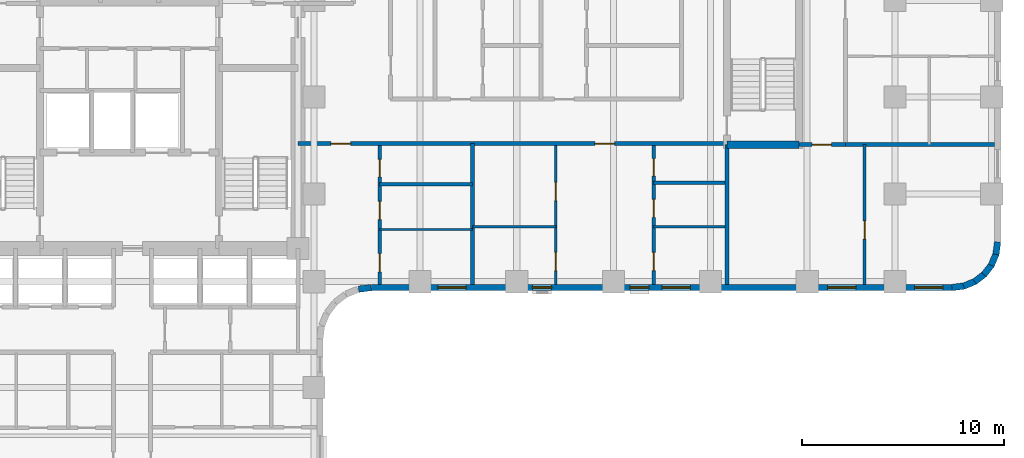
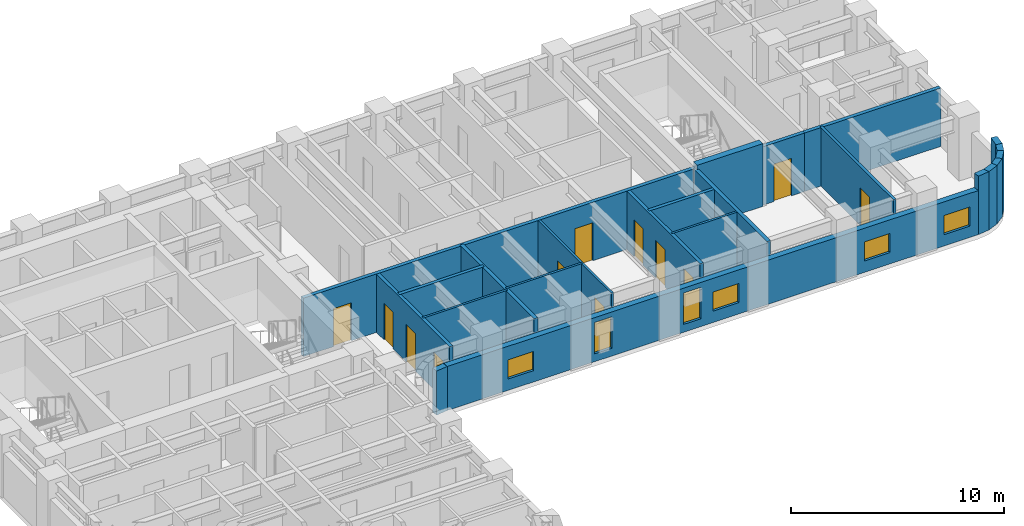
# One storey, part 5 of 11: 23 walls, 12 doors, 6 windows, 18 openings.
"""IFC4 building model written with IfcOpenShell, lengths in metres."""

from ifc_helpers import new_model, si_unit, direction, frame, frame_2d, origin, place, context, subcontext, project, spatial, rectangle, extrude, material, layer, layer_set, type_object, element, fill, save


model = new_model("IFC4")

# Units and contexts
model_context = context("Model", 3, precision=1e-05, world=origin(), true_north=direction((0.0, 1.0)))
body_context = subcontext(model_context, "Body", "Model", "MODEL_VIEW")
ifc_project = project(units=[si_unit("LENGTHUNIT", "METRE"), si_unit("AREAUNIT", "SQUARE_METRE"), si_unit("VOLUMEUNIT", "CUBIC_METRE"), si_unit("PLANEANGLEUNIT", "RADIAN"), si_unit("MASSUNIT", "GRAM", prefix="KILO")], contexts=[model_context])

# Site, building, storey
site_placement = place(None, origin())
site = spatial("IfcSite", under=ifc_project, at=site_placement, CompositionType="ELEMENT")
building_placement = place(site_placement, origin())
building = spatial("IfcBuilding", under=site, at=building_placement, Name="Orvandelia Arch Residences", CompositionType="ELEMENT")
storey_placement = place(building_placement, frame((0.0, 0.0, 25.0)))
storey = spatial("IfcBuildingStorey", under=building, at=storey_placement, Name="L05", CompositionType="ELEMENT", Elevation=25.0)

# Wall
ifc_material_1 = material(Name="Concrete C50/60", Category="concrete")
ifc_layer_1 = layer(ifc_material_1, 0.35009765625, Name="Concrete C50/60", Category="concrete")
ifc_layer_set_1 = layer_set([ifc_layer_1], Name="Concrete C50/60")
wall_type_1 = type_object("IfcWallType", Name="WL-CORE-350", PredefinedType="SHEAR", material=ifc_layer_set_1)
wall_1_placement = place(storey_placement, frame((44.02001953125, 36.0400390625, 0.0), z_axis=(0.0, 0.0, 1.0), x_axis=(1.0, 0.0, 0.0)))
element("IfcWall", 1, at=wall_1_placement, inside=storey, type_object=wall_type_1, Name="East Stair Core Shear Wall L05-S", PredefinedType="SHEAR", context=body_context, shape_type="SweptSolid", body=[
    extrude(rectangle(XDim=3.580078125, YDim=0.35009765625, at=frame_2d((1.7900390625, 0.0))), origin(), (0.0, 0.0, 1.0), 3.60009765625),
])

# Wall, openings, doors
ifc_material_2 = material(Name="Fire-Rated Corridor Partition")
ifc_layer_2 = layer(ifc_material_2, 0.199951171875, Name="Fire-Rated Corridor Partition")
ifc_layer_set_2 = layer_set([ifc_layer_2], Name="Fire-Rated Corridor Partition")
wall_type_2 = type_object("IfcWallType", Name="WL-CORR-200", PredefinedType="PARTITIONING", material=ifc_layer_set_2)
wall_2_placement = place(storey_placement, frame((22.75, 36.10009765625, 0.0), z_axis=(0.0, 0.0, 1.0), x_axis=(1.0, 0.0, 0.0)))
wall_2 = element("IfcWall", 2, at=wall_2_placement, inside=storey, type_object=wall_type_2, Name="Interior Partition Wall WL-L05-EM-S1", PredefinedType="PARTITIONING", context=body_context, shape_type="SweptSolid", body=[
    extrude(rectangle(XDim=21.27001953125, YDim=0.199951171875, at=frame_2d((10.635009765625, 0.0))), origin(), (0.0, 0.0, 1.0), 3.35009765625),
])
opening_1_placement = place(wall_2_placement, frame((1.62841796875, 0.0, 0.0)))
opening_1 = element("IfcOpeningElement", 3, at=opening_1_placement, cuts=wall_2, Name="Opening D1", PredefinedType="OPENING", context=body_context, shape_type="SweptSolid", body=[
    extrude(rectangle(XDim=0.97998046875, YDim=2.179931640625, at=frame_2d((0.489990234375, 1.08984375))), frame((0.0, 0.10986328125, 0.0), z_axis=(0.0, -1.0, 0.0), x_axis=(1.0, 0.0, 0.0)), (0.0, 0.0, 1.0), 0.219970703125),
])
opening_2_placement = place(wall_2_placement, frame((14.724609375, 0.0, 0.0)))
opening_2 = element("IfcOpeningElement", 4, at=opening_2_placement, cuts=wall_2, Name="Opening D1", PredefinedType="OPENING", context=body_context, shape_type="SweptSolid", body=[
    extrude(rectangle(XDim=0.97998046875, YDim=2.179931640625, at=frame_2d((0.489990234375, 1.08984375))), frame((0.0, 0.10986328125, 0.0), z_axis=(0.0, -1.0, 0.0), x_axis=(1.0, 0.0, 0.0)), (0.0, 0.0, 1.0), 0.219970703125),
])
ifc_material_3 = material(Name="Solid-Core Timber Acoustic Fire Door", Category="wood")
door_type_1 = type_object("IfcDoorType", Name="DR-ENT-980", OperationType="NOTDEFINED", PredefinedType="DOOR", material=ifc_material_3)
door_1_placement = place(opening_1_placement, origin())
door_1 = element("IfcDoor", 5, at=door_1_placement, inside=storey, type_object=door_type_1, Name="Unit L05-07 Entrance Door", OperationType="SINGLE_SWING_LEFT", OverallHeight=2.179931640625, OverallWidth=0.97998046875, PredefinedType="DOOR", context=body_context, shape_type="SweptSolid", body=[
    extrude(rectangle(XDim=0.97998046875, YDim=2.179931640625, at=frame_2d((0.489990234375, 1.08984375))), frame((0.0, 0.02490234375, 0.0), z_axis=(0.0, -1.0, 0.0), x_axis=(1.0, 0.0, 0.0)), (0.0, 0.0, 1.0), 0.050048828125),
])
fill(opening_1, door_1)
door_2_placement = place(opening_2_placement, origin())
door_2 = element("IfcDoor", 6, at=door_2_placement, inside=storey, type_object=door_type_1, Name="Unit L05-08 Entrance Door", OperationType="SINGLE_SWING_RIGHT", OverallHeight=2.179931640625, OverallWidth=0.97998046875, PredefinedType="DOOR", context=body_context, shape_type="SweptSolid", body=[
    extrude(rectangle(XDim=0.97998046875, YDim=2.179931640625, at=frame_2d((0.489990234375, 1.08984375))), frame((0.0, 0.02490234375, 0.0), z_axis=(0.0, -1.0, 0.0), x_axis=(1.0, 0.0, 0.0)), (0.0, 0.0, 1.0), 0.050048828125),
])
fill(opening_2, door_2)

# Wall, opening, door
wall_3_placement = place(storey_placement, frame((47.60009765625, 36.0400390625, 0.0), z_axis=(0.0, 0.0, 1.0), x_axis=(1.0, 0.0, 0.0)))
wall_3 = element("IfcWall", 7, at=wall_3_placement, inside=storey, type_object=wall_type_2, Name="Interior Partition Wall WL-L05-ETE-S", PredefinedType="PARTITIONING", context=body_context, shape_type="SweptSolid", body=[
    extrude(rectangle(XDim=2.2998046875, YDim=0.199951171875, at=frame_2d((1.14990234375, 0.0))), origin(), (0.0, 0.0, 1.0), 3.35009765625),
])
opening_3_placement = place(wall_3_placement, frame((0.64990234375, 0.0, 0.0)))
opening_3 = element("IfcOpeningElement", 8, at=opening_3_placement, cuts=wall_3, Name="Opening D2", PredefinedType="OPENING", context=body_context, shape_type="SweptSolid", body=[
    extrude(rectangle(XDim=0.949951171875, YDim=2.14990234375, at=frame_2d((0.47509765625, 1.074951171875))), frame((0.0, 0.10986328125, 0.0), z_axis=(0.0, -1.0, 0.0), x_axis=(1.0, 0.0, 0.0)), (0.0, 0.0, 1.0), 0.219970703125),
])
ifc_material_4 = material(Name="Solid-Core Timber Interior Fire Door", Category="wood")
door_type_2 = type_object("IfcDoorType", Name="DR-APT-950", OperationType="NOTDEFINED", PredefinedType="DOOR", material=ifc_material_4)
door_3_placement = place(opening_3_placement, origin())
door_3 = element("IfcDoor", 9, at=door_3_placement, inside=storey, type_object=door_type_2, Name="DR-L05-EMS3", OperationType="SINGLE_SWING_LEFT", OverallHeight=2.14990234375, OverallWidth=0.949951171875, PredefinedType="DOOR", context=body_context, shape_type="SweptSolid", body=[
    extrude(rectangle(XDim=0.949951171875, YDim=2.14990234375, at=frame_2d((0.47509765625, 1.074951171875))), frame((0.0, 0.02490234375, 0.0), z_axis=(0.0, -1.0, 0.0), x_axis=(1.0, 0.0, 0.0)), (0.0, 0.0, 1.0), 0.050048828125),
])
fill(opening_3, door_3)

# Walls
ifc_material_5 = material(Name="Concrete C40/50", Category="concrete")
ifc_layer_3 = layer(ifc_material_5, 0.199951171875, Name="Concrete C40/50", Category="concrete")
ifc_layer_set_3 = layer_set([ifc_layer_3], Name="Concrete C40/50")
wall_type_3 = type_object("IfcWallType", Name="WL-DEM-200", PredefinedType="SOLIDWALL", material=ifc_layer_set_3)
wall_4_placement = place(storey_placement, frame((31.39990234375, 29.1201171875, 0.0), z_axis=(0.0, 0.0, 1.0), x_axis=(0.0, 1.0, 0.0)))
element("IfcWall", 10, at=wall_4_placement, inside=storey, type_object=wall_type_3, Name="Interior Partition Wall WL-L05-DEM-EMS-314", PredefinedType="SOLIDWALL", context=body_context, shape_type="SweptSolid", body=[
    extrude(rectangle(XDim=6.97998046875, YDim=0.199951171875, at=frame_2d((3.489990234375, 0.0))), origin(), (0.0, 0.0, 1.0), 3.35009765625),
])
wall_5_placement = place(storey_placement, frame((44.02001953125, 29.1201171875, 0.0), z_axis=(0.0, 0.0, 1.0), x_axis=(0.0, 1.0, 0.0)))
element("IfcWall", 11, at=wall_5_placement, inside=storey, type_object=wall_type_3, Name="Interior Partition Wall WL-L05-EMS3-W", PredefinedType="SOLIDWALL", context=body_context, shape_type="SweptSolid", body=[
    extrude(rectangle(XDim=6.919921875, YDim=0.199951171875, at=frame_2d((3.4599609375, 0.0))), origin(), (0.0, 0.0, 1.0), 3.35009765625),
])
wall_6_placement = place(storey_placement, frame((49.89990234375, 36.0400390625, 0.0), z_axis=(0.0, 0.0, 1.0), x_axis=(1.0, 0.0, 0.0)))
element("IfcWall", 12, at=wall_6_placement, inside=storey, type_object=wall_type_3, Name="Interior Partition Wall WL-L05-EMS3-N2", PredefinedType="SOLIDWALL", context=body_context, shape_type="SweptSolid", body=[
    extrude(rectangle(XDim=7.380126953125, YDim=0.199951171875, at=frame_2d((3.68994140625, 0.0))), origin(), (0.0, 0.0, 1.0), 3.35009765625),
])
ifc_material_6 = material(Name="Precast concrete C40/50", Category="concrete")
ifc_layer_4 = layer(ifc_material_6, 0.320068359375, Name="Precast concrete C40/50", Category="concrete")
ifc_layer_set_4 = layer_set([ifc_layer_4], Name="Precast concrete C40/50")
wall_type_4 = type_object("IfcWallType", Name="WL-EXT-STONE-320", PredefinedType="STANDARD", material=ifc_layer_set_4)
wall_7_placement = place(storey_placement, frame((57.44140625, 31.220947265625, 0.0), z_axis=(0.0, 0.0, 1.0), x_axis=(-0.130504898859, -0.991447664465, 0.0)))
element("IfcWall", 13, at=wall_7_placement, inside=storey, type_object=wall_type_4, Name="Coral-Limestone Precast Facade Wall L05-015", PredefinedType="STANDARD", context=body_context, shape_type="SweptSolid", body=[
    extrude(rectangle(XDim=0.626708984375, YDim=0.320068359375, at=frame_2d((0.3134765625, 0.0))), origin(), (0.0, 0.0, 1.0), 3.35009765625),
])
wall_8_placement = place(storey_placement, frame((57.370361328125, 30.639892578125, 0.0), z_axis=(0.0, 0.0, 1.0), x_axis=(-0.382787856107, -0.923836271867, 0.0)))
element("IfcWall", 14, at=wall_8_placement, inside=storey, type_object=wall_type_4, Name="Coral-Limestone Precast Facade Wall L05-016", PredefinedType="STANDARD", context=body_context, shape_type="SweptSolid", body=[
    extrude(rectangle(XDim=0.626220703125, YDim=0.320068359375, at=frame_2d((0.31298828125, 0.0))), origin(), (0.0, 0.0, 1.0), 3.35009765625),
])
wall_9_placement = place(storey_placement, frame((57.151611328125, 30.097412109375, 0.0), z_axis=(0.0, 0.0, 1.0), x_axis=(-0.608693302629, -0.793405610854, 0.0)))
element("IfcWall", 15, at=wall_9_placement, inside=storey, type_object=wall_type_4, Name="Coral-Limestone Precast Facade Wall L05-017", PredefinedType="STANDARD", context=body_context, shape_type="SweptSolid", body=[
    extrude(rectangle(XDim=0.62646484375, YDim=0.320068359375, at=frame_2d((0.313232421875, 0.0))), origin(), (0.0, 0.0, 1.0), 3.35009765625),
])
wall_10_placement = place(storey_placement, frame((56.7998046875, 29.6298828125, 0.0), z_axis=(0.0, 0.0, 1.0), x_axis=(-0.793361818833, -0.608750379399, 0.0)))
element("IfcWall", 16, at=wall_10_placement, inside=storey, type_object=wall_type_4, Name="Coral-Limestone Precast Facade Wall L05-018", PredefinedType="STANDARD", context=body_context, shape_type="SweptSolid", body=[
    extrude(rectangle(XDim=0.626953125, YDim=0.320068359375, at=frame_2d((0.3134765625, 0.0))), origin(), (0.0, 0.0, 1.0), 3.35009765625),
])
for number, where, z_axis, x_axis, name in (
    (17, (56.3388671875, 29.269287109375, 0.0), (0.0, 0.0, 1.0), (-0.92389335771, -0.382650053678, 0.0), "Coral-Limestone Precast Facade Wall L05-019"),
    (18, (55.80029296875, 29.040283203125, 0.0), (0.0, 0.0, 1.0), (-0.9914410257, -0.130555323746, 0.0), "Coral-Limestone Precast Facade Wall L05-020"),
):
    element("IfcWall", number, at=place(storey_placement, frame(where, z_axis=z_axis, x_axis=x_axis)), inside=storey, type_object=wall_type_4, Name=name, PredefinedType="STANDARD", context=body_context, shape_type="SweptSolid", body=[
        extrude(rectangle(XDim=0.62646484375, YDim=0.320068359375, at=frame_2d((0.313232421875, 0.0))), origin(), (0.0, 0.0, 1.0), 3.35009765625),
    ])

# Wall, openings, windows
wall_11_placement = place(storey_placement, frame((55.199951171875, 28.9599609375, 0.0), z_axis=(0.0, 0.0, 1.0), x_axis=(-1.0, 0.0, 0.0)))
wall_11 = element("IfcWall", 19, at=wall_11_placement, inside=storey, type_object=wall_type_4, Name="Coral-Limestone Precast Facade Wall L05-021", PredefinedType="STANDARD", context=body_context, shape_type="SweptSolid", body=[
    extrude(rectangle(XDim=28.800048828125, YDim=0.320068359375, at=frame_2d((14.39990234375, 0.0))), origin(), (0.0, 0.0, 1.0), 2.530029296875),
])
opening_4_placement = place(wall_11_placement, frame((24.114990234375, 0.0, 0.64990234375)))
opening_4 = element("IfcOpeningElement", 20, at=opening_4_placement, cuts=wall_11, Name="Opening W10", PredefinedType="OPENING", context=body_context, shape_type="SweptSolid", body=[
    extrude(rectangle(XDim=1.39990234375, YDim=1.10009765625, at=frame_2d((0.699951171875, 0.550048828125))), frame((0.0, 0.169921875, 0.0), z_axis=(0.0, -1.0, 0.0), x_axis=(1.0, 0.0, 0.0)), (0.0, 0.0, 1.0), 0.340087890625),
])
opening_5_placement = place(wall_11_placement, frame((12.990966796875, 0.0, 0.64990234375)))
opening_5 = element("IfcOpeningElement", 21, at=opening_5_placement, cuts=wall_11, Name="Opening W10", PredefinedType="OPENING", context=body_context, shape_type="SweptSolid", body=[
    extrude(rectangle(XDim=1.39990234375, YDim=1.10009765625, at=frame_2d((0.699951171875, 0.550048828125))), frame((0.0, 0.169921875, 0.0), z_axis=(0.0, -1.0, 0.0), x_axis=(1.0, 0.0, 0.0)), (0.0, 0.0, 1.0), 0.340087890625),
])
opening_6_placement = place(wall_11_placement, frame((19.869384765625, 0.0, 0.449951171875)))
opening_6 = element("IfcOpeningElement", 22, at=opening_6_placement, cuts=wall_11, Name="Opening W4", PredefinedType="OPENING", context=body_context, shape_type="SweptSolid", body=[
    extrude(rectangle(XDim=0.949951171875, YDim=1.800048828125, at=frame_2d((0.47509765625, 0.89990234375))), frame((0.0, 0.169921875, 0.0), z_axis=(0.0, -1.0, 0.0), x_axis=(1.0, 0.0, 0.0)), (0.0, 0.0, 1.0), 0.340087890625),
])
opening_7_placement = place(wall_11_placement, frame((4.7900390625, 0.0, 0.64990234375)))
opening_7 = element("IfcOpeningElement", 23, at=opening_7_placement, cuts=wall_11, Name="Opening W10", PredefinedType="OPENING", context=body_context, shape_type="SweptSolid", body=[
    extrude(rectangle(XDim=1.39990234375, YDim=1.10009765625, at=frame_2d((0.699951171875, 0.550048828125))), frame((0.0, 0.169921875, 0.0), z_axis=(0.0, -1.0, 0.0), x_axis=(1.0, 0.0, 0.0)), (0.0, 0.0, 1.0), 0.340087890625),
])
opening_8_placement = place(wall_11_placement, frame((0.469970703125, 0.0, 0.64990234375)))
opening_8 = element("IfcOpeningElement", 24, at=opening_8_placement, cuts=wall_11, Name="Opening W10", PredefinedType="OPENING", context=body_context, shape_type="SweptSolid", body=[
    extrude(rectangle(XDim=1.39990234375, YDim=1.10009765625, at=frame_2d((0.699951171875, 0.550048828125))), frame((0.0, 0.169921875, 0.0), z_axis=(0.0, -1.0, 0.0), x_axis=(1.0, 0.0, 0.0)), (0.0, 0.0, 1.0), 0.340087890625),
])
opening_9_placement = place(wall_11_placement, frame((15.0458984375, 0.0, 0.449951171875)))
opening_9 = element("IfcOpeningElement", 25, at=opening_9_placement, cuts=wall_11, Name="Opening W4", PredefinedType="OPENING", context=body_context, shape_type="SweptSolid", body=[
    extrude(rectangle(XDim=0.949951171875, YDim=1.800048828125, at=frame_2d((0.47509765625, 0.89990234375))), frame((0.0, 0.169921875, 0.0), z_axis=(0.0, -1.0, 0.0), x_axis=(1.0, 0.0, 0.0)), (0.0, 0.0, 1.0), 0.340087890625),
])
ifc_material_7 = material(Name="Tempered Low-E Insulated Glazing", Category="glass")
window_type_1 = type_object("IfcWindowType", Name="WIN-CLR-1400x1100", PartitioningType="SINGLE_PANEL", PredefinedType="WINDOW", material=ifc_material_7)
window_1_placement = place(opening_4_placement, origin())
window_1 = element("IfcWindow", 26, at=window_1_placement, inside=storey, type_object=window_type_1, Name="Recessed Punched Window L05-016", OverallHeight=1.10009765625, OverallWidth=1.39990234375, PartitioningType="SINGLE_PANEL", PredefinedType="WINDOW", context=body_context, shape_type="SweptSolid", body=[
    extrude(rectangle(XDim=1.39990234375, YDim=1.10009765625, at=frame_2d((0.699951171875, 0.550048828125))), frame((0.0, 0.030029296875, 0.0), z_axis=(0.0, -1.0, 0.0), x_axis=(1.0, 0.0, 0.0)), (0.0, 0.0, 1.0), 0.06005859375),
])
fill(opening_4, window_1)
window_2_placement = place(opening_5_placement, origin())
window_2 = element("IfcWindow", 27, at=window_2_placement, inside=storey, type_object=window_type_1, Name="Recessed Punched Window L05-017", OverallHeight=1.10009765625, OverallWidth=1.39990234375, PartitioningType="SINGLE_PANEL", PredefinedType="WINDOW", context=body_context, shape_type="SweptSolid", body=[
    extrude(rectangle(XDim=1.39990234375, YDim=1.10009765625, at=frame_2d((0.699951171875, 0.550048828125))), frame((0.0, 0.030029296875, 0.0), z_axis=(0.0, -1.0, 0.0), x_axis=(1.0, 0.0, 0.0)), (0.0, 0.0, 1.0), 0.06005859375),
])
fill(opening_5, window_2)
window_3_placement = place(opening_7_placement, origin())
window_3 = element("IfcWindow", 28, at=window_3_placement, inside=storey, type_object=window_type_1, Name="Recessed Punched Window L05-019", OverallHeight=1.10009765625, OverallWidth=1.39990234375, PartitioningType="SINGLE_PANEL", PredefinedType="WINDOW", context=body_context, shape_type="SweptSolid", body=[
    extrude(rectangle(XDim=1.39990234375, YDim=1.10009765625, at=frame_2d((0.699951171875, 0.550048828125))), frame((0.0, 0.030029296875, 0.0), z_axis=(0.0, -1.0, 0.0), x_axis=(1.0, 0.0, 0.0)), (0.0, 0.0, 1.0), 0.06005859375),
])
fill(opening_7, window_3)
window_4_placement = place(opening_8_placement, origin())
window_4 = element("IfcWindow", 29, at=window_4_placement, inside=storey, type_object=window_type_1, Name="Recessed Punched Window L05-020", OverallHeight=1.10009765625, OverallWidth=1.39990234375, PartitioningType="SINGLE_PANEL", PredefinedType="WINDOW", context=body_context, shape_type="SweptSolid", body=[
    extrude(rectangle(XDim=1.39990234375, YDim=1.10009765625, at=frame_2d((0.699951171875, 0.550048828125))), frame((0.0, 0.030029296875, 0.0), z_axis=(0.0, -1.0, 0.0), x_axis=(1.0, 0.0, 0.0)), (0.0, 0.0, 1.0), 0.06005859375),
])
fill(opening_8, window_4)
window_type_2 = type_object("IfcWindowType", Name="WIN-RES-0950x1800", PartitioningType="SINGLE_PANEL", PredefinedType="WINDOW", material=ifc_material_7)
window_5_placement = place(opening_6_placement, origin())
window_5 = element("IfcWindow", 30, at=window_5_placement, inside=storey, type_object=window_type_2, Name="Recessed Punched Window L05-018", OverallHeight=1.800048828125, OverallWidth=0.949951171875, PartitioningType="SINGLE_PANEL", PredefinedType="WINDOW", context=body_context, shape_type="SweptSolid", body=[
    extrude(rectangle(XDim=0.949951171875, YDim=1.800048828125, at=frame_2d((0.47509765625, 0.89990234375))), frame((0.0, 0.030029296875, 0.0), z_axis=(0.0, -1.0, 0.0), x_axis=(1.0, 0.0, 0.0)), (0.0, 0.0, 1.0), 0.06005859375),
])
fill(opening_6, window_5)
window_6_placement = place(opening_9_placement, origin())
window_6 = element("IfcWindow", 31, at=window_6_placement, inside=storey, type_object=window_type_2, Name="Recessed Punched Window L05-021", OverallHeight=1.800048828125, OverallWidth=0.949951171875, PartitioningType="SINGLE_PANEL", PredefinedType="WINDOW", context=body_context, shape_type="SweptSolid", body=[
    extrude(rectangle(XDim=0.949951171875, YDim=1.800048828125, at=frame_2d((0.47509765625, 0.89990234375))), frame((0.0, 0.030029296875, 0.0), z_axis=(0.0, -1.0, 0.0), x_axis=(1.0, 0.0, 0.0)), (0.0, 0.0, 1.0), 0.06005859375),
])
fill(opening_9, window_6)

# Walls
wall_12_placement = place(storey_placement, frame((26.379150390625, 28.95849609375, 0.0), z_axis=(0.0, 0.0, 1.0), x_axis=(-0.991447664465, -0.130504898859, 0.0)))
element("IfcWall", 32, at=wall_12_placement, inside=storey, type_object=wall_type_4, Name="Coral-Limestone Precast Facade Wall L05-022", PredefinedType="STANDARD", context=body_context, shape_type="SweptSolid", body=[
    extrude(rectangle(XDim=0.626708984375, YDim=0.320068359375, at=frame_2d((0.3134765625, 0.0))), origin(), (0.0, 0.0, 1.0), 2.530029296875),
])
ifc_material_8 = material(Name="Lightweight Gypsum Stud Partition")
ifc_layer_5 = layer(ifc_material_8, 0.1201171875, Name="Lightweight Gypsum Stud Partition")
ifc_layer_set_5 = layer_set([ifc_layer_5], Name="Lightweight Gypsum Stud Partition")
wall_type_5 = type_object("IfcWallType", Name="WL-PART-120", PredefinedType="PARTITIONING", material=ifc_layer_set_5)
wall_13_placement = place(storey_placement, frame((26.806884765625, 31.8359375, 0.0), z_axis=(0.0, 0.0, 1.0), x_axis=(1.0, 0.0, 0.0)))
element("IfcWall", 33, at=wall_13_placement, inside=storey, type_object=wall_type_5, Name="Interior Partition Wall WL-L05-U07-H1", PredefinedType="PARTITIONING", context=body_context, shape_type="SweptSolid", body=[
    extrude(rectangle(XDim=4.593017578125, YDim=0.1201171875, at=frame_2d((2.29638671875, 0.0))), origin(), (0.0, 0.0, 1.0), 3.35009765625),
])

# Wall, openings, doors
wall_14_placement = place(storey_placement, frame((35.541015625, 29.1201171875, 0.0), z_axis=(0.0, 0.0, 1.0), x_axis=(0.0, 1.0, 0.0)))
wall_14 = element("IfcWall", 34, at=wall_14_placement, inside=storey, type_object=wall_type_5, Name="Interior Partition Wall WL-L05-U08-VB", PredefinedType="PARTITIONING", context=body_context, shape_type="SweptSolid", body=[
    extrude(rectangle(XDim=6.8798828125, YDim=0.1201171875, at=frame_2d((3.43994140625, 0.0))), origin(), (0.0, 0.0, 1.0), 3.35009765625),
])
opening_10_placement = place(wall_14_placement, frame((0.67919921875, 0.0, 0.0)))
opening_10 = element("IfcOpeningElement", 35, at=opening_10_placement, cuts=wall_14, Name="Opening D3", PredefinedType="OPENING", context=body_context, shape_type="SweptSolid", body=[
    extrude(rectangle(XDim=0.89990234375, YDim=2.14990234375, at=frame_2d((0.449951171875, 1.074951171875))), frame((0.0, 0.070068359375, 0.0), z_axis=(0.0, -1.0, 0.0), x_axis=(1.0, 0.0, 0.0)), (0.0, 0.0, 1.0), 0.14013671875),
])
opening_11_placement = place(wall_14_placement, frame((4.148681640625, 0.0, 0.0)))
opening_11 = element("IfcOpeningElement", 36, at=opening_11_placement, cuts=wall_14, Name="Opening D3", PredefinedType="OPENING", context=body_context, shape_type="SweptSolid", body=[
    extrude(rectangle(XDim=0.89990234375, YDim=2.14990234375, at=frame_2d((0.449951171875, 1.074951171875))), frame((0.0, 0.070068359375, 0.0), z_axis=(0.0, -1.0, 0.0), x_axis=(1.0, 0.0, 0.0)), (0.0, 0.0, 1.0), 0.14013671875),
])
ifc_material_9 = material(Name="Engineered Timber Flush Door", Category="wood")
door_type_3 = type_object("IfcDoorType", Name="DR-INT-900", OperationType="NOTDEFINED", PredefinedType="DOOR", material=ifc_material_9)
door_4_placement = place(opening_10_placement, origin())
door_4 = element("IfcDoor", 37, at=door_4_placement, inside=storey, type_object=door_type_3, Name="DR-L05-U08-BD2", OperationType="SINGLE_SWING_LEFT", OverallHeight=2.14990234375, OverallWidth=0.89990234375, PredefinedType="DOOR", context=body_context, shape_type="SweptSolid", body=[
    extrude(rectangle(XDim=0.89990234375, YDim=2.14990234375, at=frame_2d((0.449951171875, 1.074951171875))), frame((0.0, 0.02490234375, 0.0), z_axis=(0.0, -1.0, 0.0), x_axis=(1.0, 0.0, 0.0)), (0.0, 0.0, 1.0), 0.050048828125),
])
fill(opening_10, door_4)
door_5_placement = place(opening_11_placement, origin())
door_5 = element("IfcDoor", 38, at=door_5_placement, inside=storey, type_object=door_type_3, Name="DR-L05-U08-STDY", OperationType="SINGLE_SWING_RIGHT", OverallHeight=2.14990234375, OverallWidth=0.89990234375, PredefinedType="DOOR", context=body_context, shape_type="SweptSolid", body=[
    extrude(rectangle(XDim=0.89990234375, YDim=2.14990234375, at=frame_2d((0.449951171875, 1.074951171875))), frame((0.0, 0.02490234375, 0.0), z_axis=(0.0, -1.0, 0.0), x_axis=(1.0, 0.0, 0.0)), (0.0, 0.0, 1.0), 0.050048828125),
])
fill(opening_11, door_5)

# Walls
wall_15_placement = place(storey_placement, frame((31.39990234375, 31.97509765625, 0.0), z_axis=(0.0, 0.0, 1.0), x_axis=(1.0, 0.0, 0.0)))
element("IfcWall", 39, at=wall_15_placement, inside=storey, type_object=wall_type_5, Name="Interior Partition Wall WL-L05-U08-HB", PredefinedType="PARTITIONING", context=body_context, shape_type="SweptSolid", body=[
    extrude(rectangle(XDim=4.14111328125, YDim=0.1201171875, at=frame_2d((2.070556640625, 0.0))), origin(), (0.0, 0.0, 1.0), 3.35009765625),
])
wall_16_placement = place(storey_placement, frame((40.387939453125, 31.97509765625, 0.0), z_axis=(0.0, 0.0, 1.0), x_axis=(1.0, 0.0, 0.0)))
element("IfcWall", 40, at=wall_16_placement, inside=storey, type_object=wall_type_5, Name="Interior Partition Wall WL-L05-U08-H1", PredefinedType="PARTITIONING", context=body_context, shape_type="SweptSolid", body=[
    extrude(rectangle(XDim=3.531982421875, YDim=0.1201171875, at=frame_2d((1.76611328125, 0.0))), origin(), (0.0, 0.0, 1.0), 3.35009765625),
])

# Wall, opening, door
ifc_material_10 = material(Name="Acoustic Gypsum Stud Partition")
ifc_layer_6 = layer(ifc_material_10, 0.14990234375, Name="Acoustic Gypsum Stud Partition")
ifc_layer_set_6 = layer_set([ifc_layer_6], Name="Acoustic Gypsum Stud Partition")
wall_type_6 = type_object("IfcWallType", Name="WL-PART-150", PredefinedType="PARTITIONING", material=ifc_layer_set_6)
wall_17_placement = place(storey_placement, frame((50.85009765625, 29.1201171875, 0.0), z_axis=(0.0, 0.0, 1.0), x_axis=(0.0, 1.0, 0.0)))
wall_17 = element("IfcWall", 41, at=wall_17_placement, inside=storey, type_object=wall_type_6, Name="Interior Partition Wall WL-L05-EMS3-M", PredefinedType="PARTITIONING", context=body_context, shape_type="SweptSolid", body=[
    extrude(rectangle(XDim=6.919921875, YDim=0.14990234375, at=frame_2d((3.4599609375, 0.0))), origin(), (0.0, 0.0, 1.0), 3.35009765625),
])
opening_12_placement = place(wall_17_placement, frame((2.239990234375, 0.0, 0.0)))
opening_12 = element("IfcOpeningElement", 42, at=opening_12_placement, cuts=wall_17, Name="Opening D3", PredefinedType="OPENING", context=body_context, shape_type="SweptSolid", body=[
    extrude(rectangle(XDim=0.89990234375, YDim=2.14990234375, at=frame_2d((0.449951171875, 1.074951171875))), frame((0.0, 0.0849609375, 0.0), z_axis=(0.0, -1.0, 0.0), x_axis=(1.0, 0.0, 0.0)), (0.0, 0.0, 1.0), 0.169921875),
])
door_6_placement = place(opening_12_placement, origin())
door_6 = element("IfcDoor", 43, at=door_6_placement, inside=storey, type_object=door_type_3, Name="DR-L05-EMS3M", OperationType="SINGLE_SWING_RIGHT", OverallHeight=2.14990234375, OverallWidth=0.89990234375, PredefinedType="DOOR", context=body_context, shape_type="SweptSolid", body=[
    extrude(rectangle(XDim=0.89990234375, YDim=2.14990234375, at=frame_2d((0.449951171875, 1.074951171875))), frame((0.0, 0.02490234375, 0.0), z_axis=(0.0, -1.0, 0.0), x_axis=(1.0, 0.0, 0.0)), (0.0, 0.0, 1.0), 0.050048828125),
])
fill(opening_12, door_6)

# Wall, openings, doors
ifc_material_11 = material(Name="Moisture-Resistant Plumbing Wall")
ifc_layer_7 = layer(ifc_material_11, 0.179931640625, Name="Moisture-Resistant Plumbing Wall")
ifc_layer_set_7 = layer_set([ifc_layer_7], Name="Moisture-Resistant Plumbing Wall")
wall_type_7 = type_object("IfcWallType", Name="WL-WET-180", PredefinedType="PLUMBINGWALL", material=ifc_layer_set_7)
wall_18_placement = place(storey_placement, frame((26.806884765625, 29.1201171875, 0.0), z_axis=(0.0, 0.0, 1.0), x_axis=(0.0, 1.0, 0.0)))
wall_18 = element("IfcWall", 44, at=wall_18_placement, inside=storey, type_object=wall_type_7, Name="Interior Partition Wall WL-L05-U07-VT", PredefinedType="PLUMBINGWALL", context=body_context, shape_type="SweptSolid", body=[
    extrude(rectangle(XDim=6.8798828125, YDim=0.179931640625, at=frame_2d((3.43994140625, 0.0))), origin(), (0.0, 0.0, 1.0), 3.35009765625),
])
opening_13_placement = place(wall_18_placement, frame((0.61669921875, 0.0, 0.0)))
opening_13 = element("IfcOpeningElement", 45, at=opening_13_placement, cuts=wall_18, Name="Opening D3", PredefinedType="OPENING", context=body_context, shape_type="SweptSolid", body=[
    extrude(rectangle(XDim=0.89990234375, YDim=2.14990234375, at=frame_2d((0.449951171875, 1.074951171875))), frame((0.0, 0.10009765625, 0.0), z_axis=(0.0, -1.0, 0.0), x_axis=(1.0, 0.0, 0.0)), (0.0, 0.0, 1.0), 0.199951171875),
])
opening_14_placement = place(wall_18_placement, frame((3.21044921875, 0.0, 0.0)))
opening_14 = element("IfcOpeningElement", 46, at=opening_14_placement, cuts=wall_18, Name="Opening D3", PredefinedType="OPENING", context=body_context, shape_type="SweptSolid", body=[
    extrude(rectangle(XDim=0.89990234375, YDim=2.14990234375, at=frame_2d((0.449951171875, 1.074951171875))), frame((0.0, 0.10009765625, 0.0), z_axis=(0.0, -1.0, 0.0), x_axis=(1.0, 0.0, 0.0)), (0.0, 0.0, 1.0), 0.199951171875),
])
opening_15_placement = place(wall_18_placement, frame((5.331787109375, 0.0, 0.0)))
opening_15 = element("IfcOpeningElement", 47, at=opening_15_placement, cuts=wall_18, Name="Opening D4", PredefinedType="OPENING", context=body_context, shape_type="SweptSolid", body=[
    extrude(rectangle(XDim=0.860107421875, YDim=2.10009765625, at=frame_2d((0.43017578125, 1.050048828125))), frame((0.0, 0.10009765625, 0.0), z_axis=(0.0, -1.0, 0.0), x_axis=(1.0, 0.0, 0.0)), (0.0, 0.0, 1.0), 0.199951171875),
])
door_7_placement = place(opening_13_placement, origin())
door_7 = element("IfcDoor", 48, at=door_7_placement, inside=storey, type_object=door_type_3, Name="DR-L05-U07-BD1", OperationType="SINGLE_SWING_LEFT", OverallHeight=2.14990234375, OverallWidth=0.89990234375, PredefinedType="DOOR", context=body_context, shape_type="SweptSolid", body=[
    extrude(rectangle(XDim=0.89990234375, YDim=2.14990234375, at=frame_2d((0.449951171875, 1.074951171875))), frame((0.0, 0.02490234375, 0.0), z_axis=(0.0, -1.0, 0.0), x_axis=(1.0, 0.0, 0.0)), (0.0, 0.0, 1.0), 0.050048828125),
])
fill(opening_13, door_7)
door_8_placement = place(opening_14_placement, origin())
door_8 = element("IfcDoor", 49, at=door_8_placement, inside=storey, type_object=door_type_3, Name="DR-L05-U07-KIT", OperationType="SINGLE_SWING_RIGHT", OverallHeight=2.14990234375, OverallWidth=0.89990234375, PredefinedType="DOOR", context=body_context, shape_type="SweptSolid", body=[
    extrude(rectangle(XDim=0.89990234375, YDim=2.14990234375, at=frame_2d((0.449951171875, 1.074951171875))), frame((0.0, 0.02490234375, 0.0), z_axis=(0.0, -1.0, 0.0), x_axis=(1.0, 0.0, 0.0)), (0.0, 0.0, 1.0), 0.050048828125),
])
fill(opening_14, door_8)
ifc_material_12 = material(Name="Moisture-Sealed Timber Bathroom Door", Category="wood")
door_type_4 = type_object("IfcDoorType", Name="DR-WET-900", OperationType="NOTDEFINED", PredefinedType="DOOR", material=ifc_material_12)
door_9_placement = place(opening_15_placement, origin())
door_9 = element("IfcDoor", 50, at=door_9_placement, inside=storey, type_object=door_type_4, Name="DR-L05-U07-BTH", OperationType="SINGLE_SWING_LEFT", OverallHeight=2.10009765625, OverallWidth=0.860107421875, PredefinedType="DOOR", context=body_context, shape_type="SweptSolid", body=[
    extrude(rectangle(XDim=0.860107421875, YDim=2.10009765625, at=frame_2d((0.43017578125, 1.050048828125))), frame((0.0, 0.02490234375, 0.0), z_axis=(0.0, -1.0, 0.0), x_axis=(1.0, 0.0, 0.0)), (0.0, 0.0, 1.0), 0.050048828125),
])
fill(opening_15, door_9)

# Wall
wall_19_placement = place(storey_placement, frame((26.806884765625, 34.0849609375, 0.0), z_axis=(0.0, 0.0, 1.0), x_axis=(1.0, 0.0, 0.0)))
element("IfcWall", 51, at=wall_19_placement, inside=storey, type_object=wall_type_7, Name="Interior Partition Wall WL-L05-U07-H2", PredefinedType="PLUMBINGWALL", context=body_context, shape_type="SweptSolid", body=[
    extrude(rectangle(XDim=4.593017578125, YDim=0.179931640625, at=frame_2d((2.29638671875, 0.0))), origin(), (0.0, 0.0, 1.0), 3.35009765625),
])

# Wall, openings, doors
wall_20_placement = place(storey_placement, frame((40.387939453125, 29.1201171875, 0.0), z_axis=(0.0, 0.0, 1.0), x_axis=(0.0, 1.0, 0.0)))
wall_20 = element("IfcWall", 52, at=wall_20_placement, inside=storey, type_object=wall_type_7, Name="Interior Partition Wall WL-L05-U08-VT", PredefinedType="PLUMBINGWALL", context=body_context, shape_type="SweptSolid", body=[
    extrude(rectangle(XDim=6.8798828125, YDim=0.179931640625, at=frame_2d((3.43994140625, 0.0))), origin(), (0.0, 0.0, 1.0), 3.35009765625),
])
opening_16_placement = place(wall_20_placement, frame((0.67919921875, 0.0, 0.0)))
opening_16 = element("IfcOpeningElement", 53, at=opening_16_placement, cuts=wall_20, Name="Opening D3", PredefinedType="OPENING", context=body_context, shape_type="SweptSolid", body=[
    extrude(rectangle(XDim=0.89990234375, YDim=2.14990234375, at=frame_2d((0.449951171875, 1.074951171875))), frame((0.0, 0.10009765625, 0.0), z_axis=(0.0, -1.0, 0.0), x_axis=(1.0, 0.0, 0.0)), (0.0, 0.0, 1.0), 0.199951171875),
])
opening_17_placement = place(wall_20_placement, frame((3.3154296875, 0.0, 0.0)))
opening_17 = element("IfcOpeningElement", 54, at=opening_17_placement, cuts=wall_20, Name="Opening D3", PredefinedType="OPENING", context=body_context, shape_type="SweptSolid", body=[
    extrude(rectangle(XDim=0.89990234375, YDim=2.14990234375, at=frame_2d((0.449951171875, 1.074951171875))), frame((0.0, 0.10009765625, 0.0), z_axis=(0.0, -1.0, 0.0), x_axis=(1.0, 0.0, 0.0)), (0.0, 0.0, 1.0), 0.199951171875),
])
opening_18_placement = place(wall_20_placement, frame((5.366455078125, 0.0, 0.0)))
opening_18 = element("IfcOpeningElement", 55, at=opening_18_placement, cuts=wall_20, Name="Opening D4", PredefinedType="OPENING", context=body_context, shape_type="SweptSolid", body=[
    extrude(rectangle(XDim=0.860107421875, YDim=2.10009765625, at=frame_2d((0.43017578125, 1.050048828125))), frame((0.0, 0.10009765625, 0.0), z_axis=(0.0, -1.0, 0.0), x_axis=(1.0, 0.0, 0.0)), (0.0, 0.0, 1.0), 0.199951171875),
])
door_10_placement = place(opening_16_placement, origin())
door_10 = element("IfcDoor", 56, at=door_10_placement, inside=storey, type_object=door_type_3, Name="DR-L05-U08-BD1", OperationType="SINGLE_SWING_RIGHT", OverallHeight=2.14990234375, OverallWidth=0.89990234375, PredefinedType="DOOR", context=body_context, shape_type="SweptSolid", body=[
    extrude(rectangle(XDim=0.89990234375, YDim=2.14990234375, at=frame_2d((0.449951171875, 1.074951171875))), frame((0.0, 0.02490234375, 0.0), z_axis=(0.0, -1.0, 0.0), x_axis=(1.0, 0.0, 0.0)), (0.0, 0.0, 1.0), 0.050048828125),
])
fill(opening_16, door_10)
door_11_placement = place(opening_17_placement, origin())
door_11 = element("IfcDoor", 57, at=door_11_placement, inside=storey, type_object=door_type_3, Name="DR-L05-U08-KIT", OperationType="SINGLE_SWING_LEFT", OverallHeight=2.14990234375, OverallWidth=0.89990234375, PredefinedType="DOOR", context=body_context, shape_type="SweptSolid", body=[
    extrude(rectangle(XDim=0.89990234375, YDim=2.14990234375, at=frame_2d((0.449951171875, 1.074951171875))), frame((0.0, 0.02490234375, 0.0), z_axis=(0.0, -1.0, 0.0), x_axis=(1.0, 0.0, 0.0)), (0.0, 0.0, 1.0), 0.050048828125),
])
fill(opening_17, door_11)
door_12_placement = place(opening_18_placement, origin())
door_12 = element("IfcDoor", 58, at=door_12_placement, inside=storey, type_object=door_type_4, Name="DR-L05-U08-BTH", OperationType="SINGLE_SWING_RIGHT", OverallHeight=2.10009765625, OverallWidth=0.860107421875, PredefinedType="DOOR", context=body_context, shape_type="SweptSolid", body=[
    extrude(rectangle(XDim=0.860107421875, YDim=2.10009765625, at=frame_2d((0.43017578125, 1.050048828125))), frame((0.0, 0.02490234375, 0.0), z_axis=(0.0, -1.0, 0.0), x_axis=(1.0, 0.0, 0.0)), (0.0, 0.0, 1.0), 0.050048828125),
])
fill(opening_18, door_12)

# Wall
wall_21_placement = place(storey_placement, frame((40.387939453125, 34.14794921875, 0.0), z_axis=(0.0, 0.0, 1.0), x_axis=(1.0, 0.0, 0.0)))
element("IfcWall", 59, at=wall_21_placement, inside=storey, type_object=wall_type_7, Name="Interior Partition Wall WL-L05-U08-H2", PredefinedType="PLUMBINGWALL", context=body_context, shape_type="SweptSolid", body=[
    extrude(rectangle(XDim=3.531982421875, YDim=0.179931640625, at=frame_2d((1.76611328125, 0.0))), origin(), (0.0, 0.0, 1.0), 3.35009765625),
])

save(model, "model.ifc")
